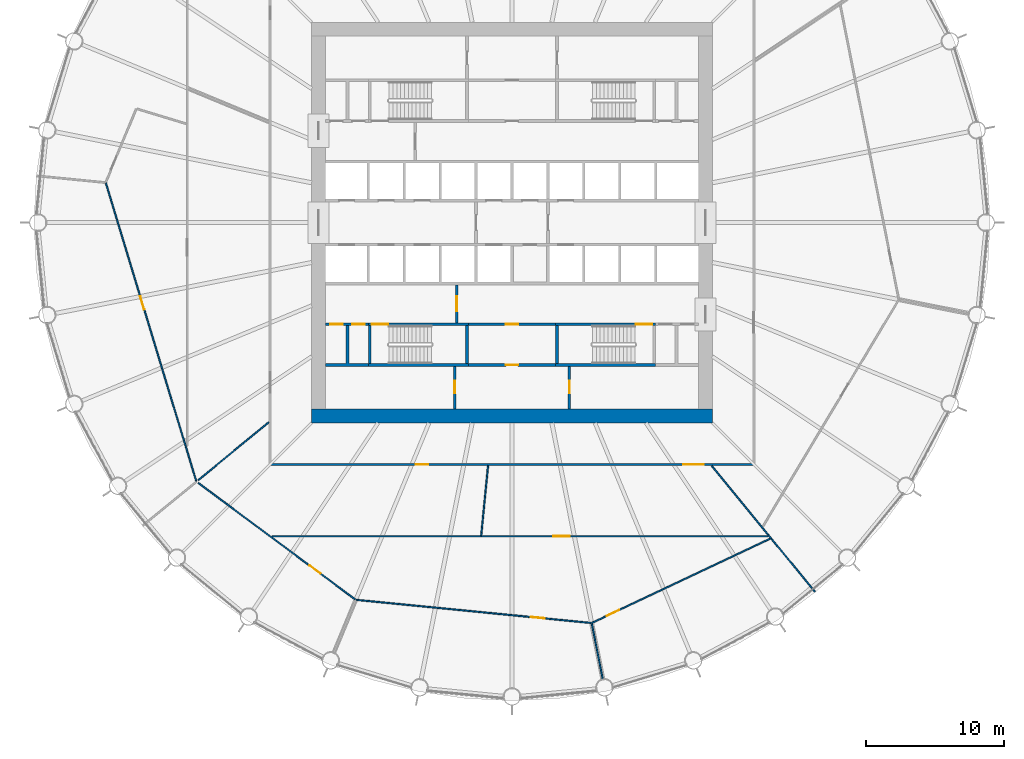
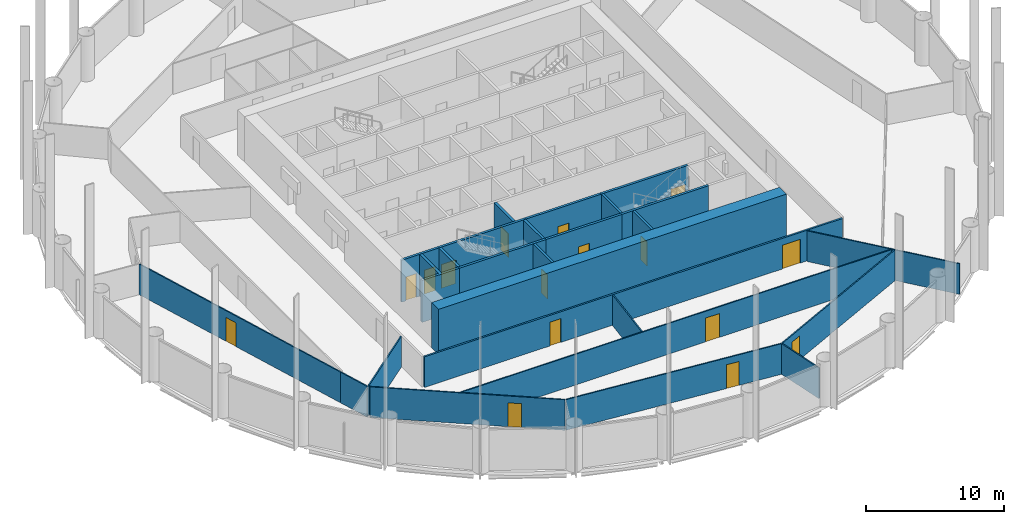
# One storey, part 4 of 10: 28 walls, 16 doors, 16 openings.
"""IFC4 building model written with IfcOpenShell, lengths in metres."""

from ifc_helpers import new_model, si_unit, direction, frame, frame_2d, origin, place, context, subcontext, project, spatial, polyline, rectangle, outline, extrude, material, layer, layer_set, type_object, element, fill, save


model = new_model("IFC4")

# Units and contexts
model_context = context("Model", 3, precision=1e-05, world=origin(), true_north=direction((0.0, 1.0)))
body_context = subcontext(model_context, "Body", "Model", "MODEL_VIEW")
ifc_project = project(units=[si_unit("LENGTHUNIT", "METRE"), si_unit("AREAUNIT", "SQUARE_METRE"), si_unit("VOLUMEUNIT", "CUBIC_METRE"), si_unit("PLANEANGLEUNIT", "RADIAN"), si_unit("MASSUNIT", "GRAM", prefix="KILO")], contexts=[model_context])

# Site, building, storey
site_placement = place(None, origin())
site = spatial("IfcSite", under=ifc_project, at=site_placement, CompositionType="ELEMENT")
building_placement = place(site_placement, origin())
building = spatial("IfcBuilding", under=site, at=building_placement, Name="Corvane Civic Tower", CompositionType="ELEMENT")
storey_placement = place(building_placement, frame((0.0, 0.0, 130.5)))
storey = spatial("IfcBuildingStorey", under=building, at=storey_placement, Name="L30", CompositionType="ELEMENT", Elevation=130.5)

# Wall
ifc_material_1 = material(Name="Concrete C70/85", Category="concrete")
ifc_layer_1 = layer(ifc_material_1, 1.0)
ifc_layer_set_1 = layer_set([ifc_layer_1], Name="Concrete C70/85")
wall_type_1 = type_object("IfcWallType", Name="CORE WALL 1000 C70/85", PredefinedType="SHEAR", material=ifc_layer_set_1)
wall_1_placement = place(storey_placement, frame((-14.5, -14.0, 0.0), z_axis=(0.0, 0.0, 1.0), x_axis=(1.0, 0.0, 0.0)))
element("IfcWall", 1, at=wall_1_placement, inside=storey, type_object=wall_type_1, Name="W-L30-core-S", PredefinedType="SHEAR", context=body_context, shape_type="SweptSolid", body=[
    extrude(rectangle(XDim=29.0, YDim=1.0, at=frame_2d((14.5, 0.0))), origin(), (0.0, 0.0, 1.0), 4.0),
])

# Wall, opening, door
ifc_material_2 = material(Name="Concrete C30/37", Category="concrete")
ifc_layer_2 = layer(ifc_material_2, 0.199951171875)
ifc_layer_set_2 = layer_set([ifc_layer_2], Name="Concrete C30/37")
wall_type_2 = type_object("IfcWallType", Name="CR-WALL-200", PredefinedType="PARTITIONING", material=ifc_layer_set_2)
wall_2_placement = place(storey_placement, frame((-3.14990234375, -10.300048828125, 0.0), z_axis=(0.0, 0.0, 1.0), x_axis=(1.0, 0.0, 0.0)))
wall_2 = element("IfcWall", 2, at=wall_2_placement, inside=storey, type_object=wall_type_2, Name="L30 partition wall", PredefinedType="PARTITIONING", context=body_context, shape_type="SweptSolid", body=[
    extrude(rectangle(XDim=6.2998046875, YDim=0.199951171875, at=frame_2d((3.14990234375, 0.0))), origin(), (0.0, 0.0, 1.0), 3.699951171875),
])
opening_1_placement = place(wall_2_placement, frame((2.699951171875, 0.0, 0.0)))
opening_1 = element("IfcOpeningElement", 3, at=opening_1_placement, cuts=wall_2, Name="Opening L30.C08", PredefinedType="OPENING", context=body_context, shape_type="SweptSolid", body=[
    extrude(rectangle(XDim=0.89990234375, YDim=2.10009765625, at=frame_2d((0.449951171875, 1.050048828125))), frame((0.0, 0.10986328125, 0.0), z_axis=(0.0, -1.0, 0.0), x_axis=(1.0, 0.0, 0.0)), (0.0, 0.0, 1.0), 0.219970703125),
])
ifc_material_3 = material(Name="Steel fire door leaf", Category="steel")
door_type_1 = type_object("IfcDoorType", Name="CR-DOOR-900", OperationType="SINGLE_SWING_LEFT", PredefinedType="DOOR", material=ifc_material_3)
door_1_placement = place(opening_1_placement, origin())
door_1 = element("IfcDoor", 4, at=door_1_placement, inside=storey, type_object=door_type_1, Name="L30 door", OperationType="SINGLE_SWING_LEFT", OverallHeight=2.10009765625, OverallWidth=0.89990234375, PredefinedType="DOOR", context=body_context, shape_type="SweptSolid", body=[
    extrude(rectangle(XDim=0.89990234375, YDim=2.10009765625, at=frame_2d((0.449951171875, 1.050048828125))), frame((0.0, 0.02490234375, 0.0), z_axis=(0.0, -1.0, 0.0), x_axis=(1.0, 0.0, 0.0)), (0.0, 0.0, 1.0), 0.050048828125),
])
fill(opening_1, door_1)

# Wall, openings, doors
wall_3_placement = place(storey_placement, frame((-13.5, -7.35009765625, 0.0), z_axis=(0.0, 0.0, 1.0), x_axis=(1.0, 0.0, 0.0)))
wall_3 = element("IfcWall", 5, at=wall_3_placement, inside=storey, type_object=wall_type_2, Name="L30 core partition wall", PredefinedType="PARTITIONING", context=body_context, shape_type="SweptSolid", body=[
    extrude(rectangle(XDim=3.10009765625, YDim=0.199951171875, at=frame_2d((1.550048828125, 0.0))), origin(), (0.0, 0.0, 1.0), 3.699951171875),
])
opening_2_placement = place(wall_3_placement, frame((0.35009765625, 0.0, 0.0)))
opening_2 = element("IfcOpeningElement", 6, at=opening_2_placement, cuts=wall_3, Name="Opening L30.C12", PredefinedType="OPENING", context=body_context, shape_type="SweptSolid", body=[
    extrude(rectangle(XDim=0.89990234375, YDim=2.10009765625, at=frame_2d((0.449951171875, 1.050048828125))), frame((0.0, 0.10986328125, 0.0), z_axis=(0.0, -1.0, 0.0), x_axis=(1.0, 0.0, 0.0)), (0.0, 0.0, 1.0), 0.219970703125),
])
opening_3_placement = place(wall_3_placement, frame((1.949951171875, 0.0, 0.0)))
opening_3 = element("IfcOpeningElement", 7, at=opening_3_placement, cuts=wall_3, Name="Opening L30.C13", PredefinedType="OPENING", context=body_context, shape_type="SweptSolid", body=[
    extrude(rectangle(XDim=0.89990234375, YDim=2.10009765625, at=frame_2d((0.449951171875, 1.050048828125))), frame((0.0, 0.10986328125, 0.0), z_axis=(0.0, -1.0, 0.0), x_axis=(1.0, 0.0, 0.0)), (0.0, 0.0, 1.0), 0.219970703125),
])
door_2_placement = place(opening_2_placement, origin())
door_2 = element("IfcDoor", 8, at=door_2_placement, inside=storey, type_object=door_type_1, Name="L30 door", OperationType="SINGLE_SWING_LEFT", OverallHeight=2.10009765625, OverallWidth=0.89990234375, PredefinedType="DOOR", context=body_context, shape_type="SweptSolid", body=[
    extrude(rectangle(XDim=0.89990234375, YDim=2.10009765625, at=frame_2d((0.449951171875, 1.050048828125))), frame((0.0, 0.02490234375, 0.0), z_axis=(0.0, -1.0, 0.0), x_axis=(1.0, 0.0, 0.0)), (0.0, 0.0, 1.0), 0.050048828125),
])
fill(opening_2, door_2)
door_3_placement = place(opening_3_placement, origin())
door_3 = element("IfcDoor", 9, at=door_3_placement, inside=storey, type_object=door_type_1, Name="L30 door", OperationType="SINGLE_SWING_LEFT", OverallHeight=2.10009765625, OverallWidth=0.89990234375, PredefinedType="DOOR", context=body_context, shape_type="SweptSolid", body=[
    extrude(rectangle(XDim=0.89990234375, YDim=2.10009765625, at=frame_2d((0.449951171875, 1.050048828125))), frame((0.0, 0.02490234375, 0.0), z_axis=(0.0, -1.0, 0.0), x_axis=(1.0, 0.0, 0.0)), (0.0, 0.0, 1.0), 0.050048828125),
])
fill(opening_3, door_3)

# Wall, opening, door
wall_4_placement = place(storey_placement, frame((-3.14990234375, -7.35009765625, 0.0), z_axis=(0.0, 0.0, 1.0), x_axis=(1.0, 0.0, 0.0)))
wall_4 = element("IfcWall", 10, at=wall_4_placement, inside=storey, type_object=wall_type_2, Name="L30 core partition wall", PredefinedType="PARTITIONING", context=body_context, shape_type="SweptSolid", body=[
    extrude(rectangle(XDim=6.2998046875, YDim=0.199951171875, at=frame_2d((3.14990234375, 0.0))), origin(), (0.0, 0.0, 1.0), 3.699951171875),
])
opening_4_placement = place(wall_4_placement, frame((2.699951171875, 0.0, 0.0)))
opening_4 = element("IfcOpeningElement", 11, at=opening_4_placement, cuts=wall_4, Name="Opening L30.C03", PredefinedType="OPENING", context=body_context, shape_type="SweptSolid", body=[
    extrude(rectangle(XDim=0.89990234375, YDim=2.10009765625, at=frame_2d((0.449951171875, 1.050048828125))), frame((0.0, 0.10986328125, 0.0), z_axis=(0.0, -1.0, 0.0), x_axis=(1.0, 0.0, 0.0)), (0.0, 0.0, 1.0), 0.219970703125),
])
door_4_placement = place(opening_4_placement, origin())
door_4 = element("IfcDoor", 12, at=door_4_placement, inside=storey, type_object=door_type_1, Name="L30 door", OperationType="SINGLE_SWING_LEFT", OverallHeight=2.10009765625, OverallWidth=0.89990234375, PredefinedType="DOOR", context=body_context, shape_type="SweptSolid", body=[
    extrude(rectangle(XDim=0.89990234375, YDim=2.10009765625, at=frame_2d((0.449951171875, 1.050048828125))), frame((0.0, 0.02490234375, 0.0), z_axis=(0.0, -1.0, 0.0), x_axis=(1.0, 0.0, 0.0)), (0.0, 0.0, 1.0), 0.050048828125),
])
fill(opening_4, door_4)

wall_5_placement = place(storey_placement, frame((-4.14990234375, -13.5, 0.0), z_axis=(0.0, 0.0, 1.0), x_axis=(0.0, 1.0, 0.0)))
wall_5 = element("IfcWall", 13, at=wall_5_placement, inside=storey, type_object=wall_type_2, Name="L30 partition wall", PredefinedType="PARTITIONING", context=body_context, shape_type="SweptSolid", body=[
    extrude(rectangle(XDim=3.10009765625, YDim=0.199951171875, at=frame_2d((1.550048828125, 0.0))), origin(), (0.0, 0.0, 1.0), 3.699951171875),
])
opening_5_placement = place(wall_5_placement, frame((1.14990234375, 0.0, 0.0)))
opening_5 = element("IfcOpeningElement", 14, at=opening_5_placement, cuts=wall_5, Name="Opening L30.C07", PredefinedType="OPENING", context=body_context, shape_type="SweptSolid", body=[
    extrude(rectangle(XDim=0.89990234375, YDim=2.10009765625, at=frame_2d((0.449951171875, 1.050048828125))), frame((0.0, 0.10986328125, 0.0), z_axis=(0.0, -1.0, 0.0), x_axis=(1.0, 0.0, 0.0)), (0.0, 0.0, 1.0), 0.219970703125),
])
door_5_placement = place(opening_5_placement, origin())
door_5 = element("IfcDoor", 15, at=door_5_placement, inside=storey, type_object=door_type_1, Name="L30 door", OperationType="SINGLE_SWING_LEFT", OverallHeight=2.10009765625, OverallWidth=0.89990234375, PredefinedType="DOOR", context=body_context, shape_type="SweptSolid", body=[
    extrude(rectangle(XDim=0.89990234375, YDim=2.10009765625, at=frame_2d((0.449951171875, 1.050048828125))), frame((0.0, 0.02490234375, 0.0), z_axis=(0.0, -1.0, 0.0), x_axis=(1.0, 0.0, 0.0)), (0.0, 0.0, 1.0), 0.050048828125),
])
fill(opening_5, door_5)

wall_6_placement = place(storey_placement, frame((-4.0, -7.25, 0.0), z_axis=(0.0, 0.0, 1.0), x_axis=(0.0, 1.0, 0.0)))
wall_6 = element("IfcWall", 16, at=wall_6_placement, inside=storey, type_object=wall_type_2, Name="L30 core partition wall", PredefinedType="PARTITIONING", context=body_context, shape_type="SweptSolid", body=[
    extrude(rectangle(XDim=2.75, YDim=0.199951171875, at=frame_2d((1.375, 0.0))), origin(), (0.0, 0.0, 1.0), 3.699951171875),
])
opening_6_placement = place(wall_6_placement, frame((0.824951171875, 0.0, 0.0)))
opening_6 = element("IfcOpeningElement", 17, at=opening_6_placement, cuts=wall_6, Name="Opening L30.C25", PredefinedType="OPENING", context=body_context, shape_type="SweptSolid", body=[
    extrude(rectangle(XDim=1.10009765625, YDim=2.10009765625, at=frame_2d((0.550048828125, 1.050048828125))), frame((0.0, 0.10986328125, 0.0), z_axis=(0.0, -1.0, 0.0), x_axis=(1.0, 0.0, 0.0)), (0.0, 0.0, 1.0), 0.219970703125),
])
ifc_material_4 = material(Name="Steel fire door leaf", Category="steel")
door_type_2 = type_object("IfcDoorType", Name="CR-DOOR-FFL-1100", OperationType="SINGLE_SWING_LEFT", PredefinedType="DOOR", material=ifc_material_4)
door_6_placement = place(opening_6_placement, origin())
door_6 = element("IfcDoor", 18, at=door_6_placement, inside=storey, type_object=door_type_2, Name="L30 lobby door", OperationType="SINGLE_SWING_LEFT", OverallHeight=2.10009765625, OverallWidth=1.10009765625, PredefinedType="DOOR", context=body_context, shape_type="SweptSolid", body=[
    extrude(rectangle(XDim=1.10009765625, YDim=2.10009765625, at=frame_2d((0.550048828125, 1.050048828125))), frame((0.0, 0.02490234375, 0.0), z_axis=(0.0, -1.0, 0.0), x_axis=(1.0, 0.0, 0.0)), (0.0, 0.0, 1.0), 0.050048828125),
])
fill(opening_6, door_6)

wall_7_placement = place(storey_placement, frame((4.14990234375, -13.5, 0.0), z_axis=(0.0, 0.0, 1.0), x_axis=(0.0, 1.0, 0.0)))
wall_7 = element("IfcWall", 19, at=wall_7_placement, inside=storey, type_object=wall_type_2, Name="L30 partition wall", PredefinedType="PARTITIONING", context=body_context, shape_type="SweptSolid", body=[
    extrude(rectangle(XDim=3.10009765625, YDim=0.199951171875, at=frame_2d((1.550048828125, 0.0))), origin(), (0.0, 0.0, 1.0), 3.699951171875),
])
opening_7_placement = place(wall_7_placement, frame((1.14990234375, 0.0, 0.0)))
opening_7 = element("IfcOpeningElement", 20, at=opening_7_placement, cuts=wall_7, Name="Opening L30.C09", PredefinedType="OPENING", context=body_context, shape_type="SweptSolid", body=[
    extrude(rectangle(XDim=0.89990234375, YDim=2.10009765625, at=frame_2d((0.449951171875, 1.050048828125))), frame((0.0, 0.10986328125, 0.0), z_axis=(0.0, -1.0, 0.0), x_axis=(1.0, 0.0, 0.0)), (0.0, 0.0, 1.0), 0.219970703125),
])
door_7_placement = place(opening_7_placement, origin())
door_7 = element("IfcDoor", 21, at=door_7_placement, inside=storey, type_object=door_type_1, Name="L30 door", OperationType="SINGLE_SWING_LEFT", OverallHeight=2.10009765625, OverallWidth=0.89990234375, PredefinedType="DOOR", context=body_context, shape_type="SweptSolid", body=[
    extrude(rectangle(XDim=0.89990234375, YDim=2.10009765625, at=frame_2d((0.449951171875, 1.050048828125))), frame((0.0, 0.02490234375, 0.0), z_axis=(0.0, -1.0, 0.0), x_axis=(1.0, 0.0, 0.0)), (0.0, 0.0, 1.0), 0.050048828125),
])
fill(opening_7, door_7)

# Walls
wall_8_placement = place(storey_placement, origin())
element("IfcWall", 22, at=wall_8_placement, inside=storey, type_object=wall_type_2, Name="L30 core partition wall", PredefinedType="PARTITIONING", context=body_context, shape_type="SweptSolid", body=[
    extrude(outline(polyline([(-12.0, -7.449951171875), (-11.800048828125, -7.449951171875), (-11.800048828125, -10.199951171875), (-10.39990234375, -10.199951171875), (-10.39990234375, -10.39990234375), (-13.5, -10.39990234375), (-13.5, -10.199951171875), (-12.0, -10.199951171875), (-12.0, -7.449951171875)])), origin(), (0.0, 0.0, 1.0), 3.699951171875),
])
ifc_material_5 = material(Name="Plasterboard")
ifc_layer_3 = layer(ifc_material_5, 0.10009765625)
ifc_layer_set_3 = layer_set([ifc_layer_3], Name="Plasterboard")
wall_type_3 = type_object("IfcWallType", Name="Partition 100 plasterboard on studs", PredefinedType="PARTITIONING", material=ifc_layer_set_3)
wall_9_placement = place(storey_placement, frame((5.771484375, -29.014892578125, 0.0), z_axis=(0.0, 0.0, 1.0), x_axis=(0.195057749927, -0.980791758832, 0.0)))
element("IfcWall", 23, at=wall_9_placement, inside=storey, type_object=wall_type_3, Name="Partition L30.001", PredefinedType="PARTITIONING", context=body_context, shape_type="SweptSolid", body=[
    extrude(rectangle(XDim=4.08154296875, YDim=0.10009765625, at=frame_2d((2.040771484375, 0.0))), origin(), (0.0, 0.0, 1.0), 2.699951171875),
])

# Wall, opening, door
wall_10_placement = place(storey_placement, frame((-11.269287109375, -27.299072265625, 0.0), z_axis=(0.0, 0.0, 1.0), x_axis=(0.99518553198, -0.098008963561, 0.0)))
wall_10 = element("IfcWall", 24, at=wall_10_placement, inside=storey, type_object=wall_type_3, Name="Partition L30.003", PredefinedType="PARTITIONING", context=body_context, shape_type="SweptSolid", body=[
    extrude(rectangle(XDim=17.078369140625, YDim=0.10009765625, at=frame_2d((8.5390625, 0.0))), origin(), (0.0, 0.0, 1.0), 2.699951171875),
])
opening_8_placement = place(wall_10_placement, frame((12.704833984375, 0.0, 0.0)))
opening_8 = element("IfcOpeningElement", 25, at=opening_8_placement, cuts=wall_10, Name="Opening L30.007", PredefinedType="OPENING", context=body_context, shape_type="SweptSolid", body=[
    extrude(rectangle(XDim=1.0, YDim=2.10009765625, at=frame_2d((0.5, 1.050048828125))), frame((0.0, 0.06005859375, 0.0), z_axis=(0.0, -1.0, 0.0), x_axis=(1.0, 0.0, 0.0)), (0.0, 0.0, 1.0), 0.1201171875),
])
ifc_material_6 = material(Name="Timber", Category="wood")
door_type_3 = type_object("IfcDoorType", Name="Single door 1000", OperationType="NOTDEFINED", PredefinedType="DOOR", material=ifc_material_6)
door_8_placement = place(opening_8_placement, frame((1.0, 0.0, 0.0), z_axis=(0.0, 0.0, 1.0), x_axis=(-1.0, 0.0, 0.0)))
door_8 = element("IfcDoor", 26, at=door_8_placement, inside=storey, type_object=door_type_3, Name="Door L30.007", OperationType="SINGLE_SWING_LEFT", OverallHeight=2.10009765625, OverallWidth=1.0, PredefinedType="DOOR", context=body_context, shape_type="SweptSolid", body=[
    extrude(rectangle(XDim=1.0, YDim=2.10009765625, at=frame_2d((0.5, 1.050048828125))), frame((0.0, 0.02490234375, 0.0), z_axis=(0.0, -1.0, 0.0), x_axis=(1.0, 0.0, 0.0)), (0.0, 0.0, 1.0), 0.050048828125),
])
fill(opening_8, door_8)

wall_11_placement = place(storey_placement, frame((5.799072265625, -28.959716796875, 0.0), z_axis=(0.0, 0.0, 1.0), x_axis=(0.903994830747, 0.427543384912, 0.0)))
wall_11 = element("IfcWall", 27, at=wall_11_placement, inside=storey, type_object=wall_type_3, Name="Partition L30.004", PredefinedType="PARTITIONING", context=body_context, shape_type="SweptSolid", body=[
    extrude(rectangle(XDim=14.2666015625, YDim=0.10009765625, at=frame_2d((7.13330078125, 0.0))), origin(), (0.0, 0.0, 1.0), 2.699951171875),
])
opening_9_placement = place(wall_11_placement, frame((1.166748046875, 0.0, 0.0)))
opening_9 = element("IfcOpeningElement", 28, at=opening_9_placement, cuts=wall_11, Name="Opening L30.006", PredefinedType="OPENING", context=body_context, shape_type="SweptSolid", body=[
    extrude(rectangle(XDim=1.0, YDim=2.10009765625, at=frame_2d((0.5, 1.050048828125))), frame((0.0, 0.06005859375, 0.0), z_axis=(0.0, -1.0, 0.0), x_axis=(1.0, 0.0, 0.0)), (0.0, 0.0, 1.0), 0.1201171875),
])
door_9_placement = place(opening_9_placement, frame((1.0, 0.0, 0.0), z_axis=(0.0, 0.0, 1.0), x_axis=(-1.0, 0.0, 0.0)))
door_9 = element("IfcDoor", 29, at=door_9_placement, inside=storey, type_object=door_type_3, Name="Door L30.006", OperationType="SINGLE_SWING_LEFT", OverallHeight=2.10009765625, OverallWidth=1.0, PredefinedType="DOOR", context=body_context, shape_type="SweptSolid", body=[
    extrude(rectangle(XDim=1.0, YDim=2.10009765625, at=frame_2d((0.5, 1.050048828125))), frame((0.0, 0.02490234375, 0.0), z_axis=(0.0, -1.0, 0.0), x_axis=(1.0, 0.0, 0.0)), (0.0, 0.0, 1.0), 0.050048828125),
])
fill(opening_9, door_9)

wall_12_placement = place(storey_placement, frame((-22.7099609375, -18.837646484375, 0.0), z_axis=(0.0, 0.0, 1.0), x_axis=(0.803203948803, -0.595704135143, 0.0)))
wall_12 = element("IfcWall", 30, at=wall_12_placement, inside=storey, type_object=wall_type_3, Name="Partition L30.005", PredefinedType="PARTITIONING", context=body_context, shape_type="SweptSolid", body=[
    extrude(rectangle(XDim=14.158935546875, YDim=0.10009765625, at=frame_2d((7.07958984375, 0.0))), origin(), (0.0, 0.0, 1.0), 2.699951171875),
])
opening_10_placement = place(wall_12_placement, frame((10.01806640625, 0.0, 0.0)))
opening_10 = element("IfcOpeningElement", 31, at=opening_10_placement, cuts=wall_12, Name="Opening L30.008", PredefinedType="OPENING", context=body_context, shape_type="SweptSolid", body=[
    extrude(rectangle(XDim=1.0, YDim=2.10009765625, at=frame_2d((0.5, 1.050048828125))), frame((0.0, 0.06005859375, 0.0), z_axis=(0.0, -1.0, 0.0), x_axis=(1.0, 0.0, 0.0)), (0.0, 0.0, 1.0), 0.1201171875),
])
door_10_placement = place(opening_10_placement, frame((1.0, 0.0, 0.0), z_axis=(0.0, 0.0, 1.0), x_axis=(-1.0, 0.0, 0.0)))
door_10 = element("IfcDoor", 32, at=door_10_placement, inside=storey, type_object=door_type_3, Name="Door L30.008", OperationType="SINGLE_SWING_RIGHT", OverallHeight=2.10009765625, OverallWidth=1.0, PredefinedType="DOOR", context=body_context, shape_type="SweptSolid", body=[
    extrude(rectangle(XDim=1.0, YDim=2.10009765625, at=frame_2d((0.5, 1.050048828125))), frame((0.0, 0.02490234375, 0.0), z_axis=(0.0, -1.0, 0.0), x_axis=(1.0, 0.0, 0.0)), (0.0, 0.0, 1.0), 0.050048828125),
])
fill(opening_10, door_10)

# Wall
wall_13_placement = place(storey_placement, frame((18.767578125, -22.8681640625, 0.0), z_axis=(0.0, 0.0, 1.0), x_axis=(0.63436933627, -0.77303010627, 0.0)))
element("IfcWall", 33, at=wall_13_placement, inside=storey, type_object=wall_type_3, Name="Partition L30.006", PredefinedType="PARTITIONING", context=body_context, shape_type="SweptSolid", body=[
    extrude(rectangle(XDim=4.967041015625, YDim=0.10009765625, at=frame_2d((2.4833984375, 0.0))), origin(), (0.0, 0.0, 1.0), 2.699951171875),
])

# Wall, opening, door
wall_14_placement = place(storey_placement, frame((-17.350830078125, -22.699951171875, 0.0), z_axis=(0.0, 0.0, 1.0), x_axis=(1.0, 0.0, 0.0)))
wall_14 = element("IfcWall", 34, at=wall_14_placement, inside=storey, type_object=wall_type_3, Name="Partition L30.007", PredefinedType="PARTITIONING", context=body_context, shape_type="SweptSolid", body=[
    extrude(rectangle(XDim=35.87451171875, YDim=0.10009765625, at=frame_2d((17.937255859375, 0.0))), origin(), (0.0, 0.0, 1.0), 2.699951171875),
])
opening_11_placement = place(wall_14_placement, frame((20.333984375, 0.0, 0.0)))
opening_11 = element("IfcOpeningElement", 35, at=opening_11_placement, cuts=wall_14, Name="Opening L30.009", PredefinedType="OPENING", context=body_context, shape_type="SweptSolid", body=[
    extrude(rectangle(XDim=1.199951171875, YDim=2.10009765625, at=frame_2d((0.60009765625, 1.050048828125))), frame((0.0, 0.06005859375, 0.0), z_axis=(0.0, -1.0, 0.0), x_axis=(1.0, 0.0, 0.0)), (0.0, 0.0, 1.0), 0.1201171875),
])
ifc_material_7 = material(Name="Timber", Category="wood")
door_type_4 = type_object("IfcDoorType", Name="Double door 1200", OperationType="NOTDEFINED", PredefinedType="DOOR", material=ifc_material_7)
door_11_placement = place(opening_11_placement, frame((1.199951171875, 0.0, 0.0), z_axis=(0.0, 0.0, 1.0), x_axis=(-1.0, 0.0, 0.0)))
door_11 = element("IfcDoor", 36, at=door_11_placement, inside=storey, type_object=door_type_4, Name="Door L30.009", OperationType="DOUBLE_DOOR_SINGLE_SWING", OverallHeight=2.10009765625, OverallWidth=1.199951171875, PredefinedType="DOOR", context=body_context, shape_type="SweptSolid", body=[
    extrude(rectangle(XDim=1.199951171875, YDim=2.10009765625, at=frame_2d((0.60009765625, 1.050048828125))), frame((0.0, 0.02490234375, 0.0), z_axis=(0.0, -1.0, 0.0), x_axis=(1.0, 0.0, 0.0)), (0.0, 0.0, 1.0), 0.050048828125),
])
fill(opening_11, door_11)

# Walls
wall_15_placement = place(storey_placement, frame((-2.230224609375, -22.64501953125, 0.0), z_axis=(0.0, 0.0, 1.0), x_axis=(0.097998083138, 0.995186603458, 0.0)))
element("IfcWall", 37, at=wall_15_placement, inside=storey, type_object=wall_type_3, Name="Partition L30.008", PredefinedType="PARTITIONING", context=body_context, shape_type="SweptSolid", body=[
    extrude(rectangle(XDim=5.089599609375, YDim=0.10009765625, at=frame_2d((2.544921875, 0.0))), origin(), (0.0, 0.0, 1.0), 2.699951171875),
])
wall_16_placement = place(storey_placement, frame((14.449462890625, -17.606689453125, 0.0), z_axis=(0.0, 0.0, 1.0), x_axis=(0.634373162363, -0.77302696646, 0.0)))
element("IfcWall", 38, at=wall_16_placement, inside=storey, type_object=wall_type_3, Name="Partition L30.009", PredefinedType="PARTITIONING", context=body_context, shape_type="SweptSolid", body=[
    extrude(rectangle(XDim=6.483154296875, YDim=0.10009765625, at=frame_2d((3.24169921875, 0.0))), origin(), (0.0, 0.0, 1.0), 2.699951171875),
])
wall_17_placement = place(storey_placement, frame((-23.6162109375, -16.177490234375, 0.0), z_axis=(0.0, 0.0, 1.0), x_axis=(0.290240321549, -0.956953789766, 0.0)))
element("IfcWall", 39, at=wall_17_placement, inside=storey, type_object=wall_type_3, Name="Partition L30.012", PredefinedType="PARTITIONING", context=body_context, shape_type="SweptSolid", body=[
    extrude(rectangle(XDim=2.647216796875, YDim=0.10009765625, at=frame_2d((1.32373046875, 0.0))), origin(), (0.0, 0.0, 1.0), 2.699951171875),
])
wall_18_placement = place(storey_placement, frame((-22.7099609375, -18.6376953125, 0.0), z_axis=(0.0, 0.0, 1.0), x_axis=(0.773004083678, 0.634401045567, 0.0)))
element("IfcWall", 40, at=wall_18_placement, inside=storey, type_object=wall_type_3, Name="Partition L30.013", PredefinedType="PARTITIONING", context=body_context, shape_type="SweptSolid", body=[
    extrude(rectangle(XDim=6.601806640625, YDim=0.10009765625, at=frame_2d((3.30078125, 0.0))), origin(), (0.0, 0.0, 1.0), 2.699951171875),
])

# Wall, opening, door
wall_19_placement = place(storey_placement, frame((-29.39208984375, 2.864013671875, 0.0), z_axis=(0.0, 0.0, 1.0), x_axis=(0.290270955878, -0.956944497959, 0.0)))
wall_19 = element("IfcWall", 41, at=wall_19_placement, inside=storey, type_object=wall_type_3, Name="Partition L30.017", PredefinedType="PARTITIONING", context=body_context, shape_type="SweptSolid", body=[
    extrude(rectangle(XDim=19.898193359375, YDim=0.10009765625, at=frame_2d((9.94921875, 0.0))), origin(), (0.0, 0.0, 1.0), 2.699951171875),
])
opening_12_placement = place(wall_19_placement, frame((8.569580078125, 0.0, 0.0)))
opening_12 = element("IfcOpeningElement", 42, at=opening_12_placement, cuts=wall_19, Name="Opening L30.012", PredefinedType="OPENING", context=body_context, shape_type="SweptSolid", body=[
    extrude(rectangle(XDim=1.0, YDim=2.10009765625, at=frame_2d((0.5, 1.050048828125))), frame((0.0, 0.06005859375, 0.0), z_axis=(0.0, -1.0, 0.0), x_axis=(1.0, 0.0, 0.0)), (0.0, 0.0, 1.0), 0.1201171875),
])
door_12_placement = place(opening_12_placement, frame((1.0, 0.0, 0.0), z_axis=(0.0, 0.0, 1.0), x_axis=(-1.0, 0.0, 0.0)))
door_12 = element("IfcDoor", 43, at=door_12_placement, inside=storey, type_object=door_type_3, Name="Door L30.012", OperationType="SINGLE_SWING_LEFT", OverallHeight=2.10009765625, OverallWidth=1.0, PredefinedType="DOOR", context=body_context, shape_type="SweptSolid", body=[
    extrude(rectangle(XDim=1.0, YDim=2.10009765625, at=frame_2d((0.5, 1.050048828125))), frame((0.0, 0.02490234375, 0.0), z_axis=(0.0, -1.0, 0.0), x_axis=(1.0, 0.0, 0.0)), (0.0, 0.0, 1.0), 0.050048828125),
])
fill(opening_12, door_12)

# Wall
wall_20_placement = place(storey_placement, frame((18.562255859375, -22.618408203125, 0.0), z_axis=(0.0, 0.0, 1.0), x_axis=(0.635045327254, -0.772474874888, 0.0)))
element("IfcWall", 44, at=wall_20_placement, inside=storey, type_object=wall_type_3, Name="Partition L30.038", PredefinedType="PARTITIONING", context=body_context, shape_type="SweptSolid", body=[
    extrude(rectangle(XDim=0.3232421875, YDim=0.10009765625, at=frame_2d((0.16162109375, 0.0))), origin(), (0.0, 0.0, 1.0), 2.699951171875),
])

# Wall, opening, door
ifc_material_8 = material(Name="Concrete C50/60", Category="concrete")
ifc_layer_4 = layer(ifc_material_8, 0.199951171875)
ifc_layer_set_4 = layer_set([ifc_layer_4], Name="Concrete C50/60")
wall_type_4 = type_object("IfcWallType", Name="ST-WALL-200", PredefinedType="SHEAR", material=ifc_layer_set_4)
wall_21_placement = place(storey_placement, frame((-10.39990234375, -7.35009765625, 0.0), z_axis=(0.0, 0.0, 1.0), x_axis=(1.0, 0.0, 0.0)))
wall_21 = element("IfcWall", 45, at=wall_21_placement, inside=storey, type_object=wall_type_4, Name="L30 stair enclosure wall", PredefinedType="SHEAR", context=body_context, shape_type="SweptSolid", body=[
    extrude(rectangle(XDim=7.25, YDim=0.199951171875, at=frame_2d((3.625, 0.0))), origin(), (0.0, 0.0, 1.0), 3.699951171875),
])
opening_13_placement = place(wall_21_placement, frame((0.25, 0.0, 0.0)))
opening_13 = element("IfcOpeningElement", 46, at=opening_13_placement, cuts=wall_21, Name="Opening L30.C21", PredefinedType="OPENING", context=body_context, shape_type="SweptSolid", body=[
    extrude(rectangle(XDim=1.199951171875, YDim=2.10009765625, at=frame_2d((0.60009765625, 1.050048828125))), frame((0.0, 0.10986328125, 0.0), z_axis=(0.0, -1.0, 0.0), x_axis=(1.0, 0.0, 0.0)), (0.0, 0.0, 1.0), 0.219970703125),
])
ifc_material_9 = material(Name="Steel fire door leaf", Category="steel")
door_type_5 = type_object("IfcDoorType", Name="ST-DOOR-1200", OperationType="SINGLE_SWING_RIGHT", PredefinedType="DOOR", material=ifc_material_9)
door_13_placement = place(opening_13_placement, origin())
door_13 = element("IfcDoor", 47, at=door_13_placement, inside=storey, type_object=door_type_5, Name="L30 stair door", OperationType="SINGLE_SWING_RIGHT", OverallHeight=2.10009765625, OverallWidth=1.199951171875, PredefinedType="DOOR", context=body_context, shape_type="SweptSolid", body=[
    extrude(rectangle(XDim=1.199951171875, YDim=2.10009765625, at=frame_2d((0.60009765625, 1.050048828125))), frame((0.0, 0.02490234375, 0.0), z_axis=(0.0, -1.0, 0.0), x_axis=(1.0, 0.0, 0.0)), (0.0, 0.0, 1.0), 0.050048828125),
])
fill(opening_13, door_13)

wall_22_placement = place(storey_placement, frame((3.14990234375, -7.35009765625, 0.0), z_axis=(0.0, 0.0, 1.0), x_axis=(1.0, 0.0, 0.0)))
wall_22 = element("IfcWall", 48, at=wall_22_placement, inside=storey, type_object=wall_type_4, Name="L30 stair enclosure wall", PredefinedType="SHEAR", context=body_context, shape_type="SweptSolid", body=[
    extrude(rectangle(XDim=7.25, YDim=0.199951171875, at=frame_2d((3.625, 0.0))), origin(), (0.0, 0.0, 1.0), 3.699951171875),
])
opening_14_placement = place(wall_22_placement, frame((5.800048828125, 0.0, 0.0)))
opening_14 = element("IfcOpeningElement", 49, at=opening_14_placement, cuts=wall_22, Name="Opening L30.C20", PredefinedType="OPENING", context=body_context, shape_type="SweptSolid", body=[
    extrude(rectangle(XDim=1.199951171875, YDim=2.10009765625, at=frame_2d((0.60009765625, 1.050048828125))), frame((0.0, 0.10986328125, 0.0), z_axis=(0.0, -1.0, 0.0), x_axis=(1.0, 0.0, 0.0)), (0.0, 0.0, 1.0), 0.219970703125),
])
door_14_placement = place(opening_14_placement, origin())
door_14 = element("IfcDoor", 50, at=door_14_placement, inside=storey, type_object=door_type_5, Name="L30 stair door", OperationType="SINGLE_SWING_RIGHT", OverallHeight=2.10009765625, OverallWidth=1.199951171875, PredefinedType="DOOR", context=body_context, shape_type="SweptSolid", body=[
    extrude(rectangle(XDim=1.199951171875, YDim=2.10009765625, at=frame_2d((0.60009765625, 1.050048828125))), frame((0.0, 0.02490234375, 0.0), z_axis=(0.0, -1.0, 0.0), x_axis=(1.0, 0.0, 0.0)), (0.0, 0.0, 1.0), 0.050048828125),
])
fill(opening_14, door_14)

# Walls
wall_23_placement = place(storey_placement, origin())
element("IfcWall", 51, at=wall_23_placement, inside=storey, type_object=wall_type_4, Name="L30 stair enclosure wall", PredefinedType="SHEAR", context=body_context, shape_type="SweptSolid", body=[
    extrude(outline(polyline([(-3.14990234375, -10.199951171875), (-3.14990234375, -10.39990234375), (-10.39990234375, -10.39990234375), (-10.39990234375, -10.199951171875), (-3.14990234375, -10.199951171875)])), origin(), (0.0, 0.0, 1.0), 3.699951171875),
])
wall_24_placement = place(storey_placement, origin())
element("IfcWall", 52, at=wall_24_placement, inside=storey, type_object=wall_type_4, Name="L30 stair enclosure wall", PredefinedType="SHEAR", context=body_context, shape_type="SweptSolid", body=[
    extrude(outline(polyline([(10.39990234375, -10.39990234375), (3.14990234375, -10.39990234375), (3.14990234375, -10.199951171875), (10.39990234375, -10.199951171875), (10.39990234375, -10.39990234375)])), origin(), (0.0, 0.0, 1.0), 3.699951171875),
])
wall_25_placement = place(storey_placement, origin())
element("IfcWall", 53, at=wall_25_placement, inside=storey, type_object=wall_type_4, Name="L30 stair enclosure wall", PredefinedType="SHEAR", context=body_context, shape_type="SweptSolid", body=[
    extrude(outline(polyline([(-3.14990234375, -7.449951171875), (-3.14990234375, -10.199951171875), (-3.35009765625, -10.199951171875), (-3.35009765625, -7.449951171875), (-3.14990234375, -7.449951171875)])), origin(), (0.0, 0.0, 1.0), 3.699951171875),
])
wall_26_placement = place(storey_placement, origin())
element("IfcWall", 54, at=wall_26_placement, inside=storey, type_object=wall_type_4, Name="L30 stair enclosure wall", PredefinedType="SHEAR", context=body_context, shape_type="SweptSolid", body=[
    extrude(outline(polyline([(3.35009765625, -7.449951171875), (3.35009765625, -10.199951171875), (3.14990234375, -10.199951171875), (3.14990234375, -7.449951171875), (3.35009765625, -7.449951171875)])), origin(), (0.0, 0.0, 1.0), 3.699951171875),
])
wall_27_placement = place(storey_placement, origin())
element("IfcWall", 55, at=wall_27_placement, inside=storey, type_object=wall_type_4, Name="L30 stair enclosure wall", PredefinedType="SHEAR", context=body_context, shape_type="SweptSolid", body=[
    extrude(outline(polyline([(-10.199951171875, -7.449951171875), (-10.199951171875, -10.199951171875), (-10.39990234375, -10.199951171875), (-10.39990234375, -7.449951171875), (-10.199951171875, -7.449951171875)])), origin(), (0.0, 0.0, 1.0), 3.699951171875),
])

# Wall, openings, doors
ifc_material_10 = material(Name="Plasterboard")
ifc_layer_5 = layer(ifc_material_10, 0.14990234375)
ifc_layer_set_5 = layer_set([ifc_layer_5], Name="Plasterboard")
wall_type_5 = type_object("IfcWallType", Name="Tenancy wall 150 EI 60", PredefinedType="PARTITIONING", material=ifc_layer_set_5)
wall_28_placement = place(storey_placement, frame((-17.425048828125, -17.5, 0.0), z_axis=(0.0, 0.0, 1.0), x_axis=(1.0, 0.0, 0.0)))
wall_28 = element("IfcWall", 56, at=wall_28_placement, inside=storey, type_object=wall_type_5, Name="Partition L30.014", PredefinedType="PARTITIONING", context=body_context, shape_type="SweptSolid", body=[
    extrude(rectangle(XDim=34.85009765625, YDim=0.14990234375, at=frame_2d((17.425048828125, 0.0))), origin(), (0.0, 0.0, 1.0), 2.699951171875),
])
opening_15_placement = place(wall_28_placement, frame((29.817626953125, 0.0, 0.0)))
opening_15 = element("IfcOpeningElement", 57, at=opening_15_placement, cuts=wall_28, Name="Opening L30.010", PredefinedType="OPENING", context=body_context, shape_type="SweptSolid", body=[
    extrude(rectangle(XDim=1.5, YDim=2.10009765625, at=frame_2d((0.75, 1.050048828125))), frame((0.0, 0.0849609375, 0.0), z_axis=(0.0, -1.0, 0.0), x_axis=(1.0, 0.0, 0.0)), (0.0, 0.0, 1.0), 0.169921875),
])
opening_16_placement = place(wall_28_placement, frame((10.4541015625, 0.0, 0.0)))
opening_16 = element("IfcOpeningElement", 58, at=opening_16_placement, cuts=wall_28, Name="Opening L30.011", PredefinedType="OPENING", context=body_context, shape_type="SweptSolid", body=[
    extrude(rectangle(XDim=0.89990234375, YDim=2.10009765625, at=frame_2d((0.449951171875, 1.050048828125))), frame((0.0, 0.0849609375, 0.0), z_axis=(0.0, -1.0, 0.0), x_axis=(1.0, 0.0, 0.0)), (0.0, 0.0, 1.0), 0.169921875),
])
ifc_material_11 = material(Name="Steel and timber", Category="steel")
door_type_6 = type_object("IfcDoorType", Name="Fire door FD30S 900", OperationType="NOTDEFINED", PredefinedType="DOOR", material=ifc_material_11)
door_15_placement = place(opening_16_placement, frame((0.89990234375, 0.0, 0.0), z_axis=(0.0, 0.0, 1.0), x_axis=(-1.0, 0.0, 0.0)))
door_15 = element("IfcDoor", 59, at=door_15_placement, inside=storey, type_object=door_type_6, Name="Door L30.011", OperationType="SINGLE_SWING_RIGHT", OverallHeight=2.10009765625, OverallWidth=0.89990234375, PredefinedType="DOOR", context=body_context, shape_type="SweptSolid", body=[
    extrude(rectangle(XDim=0.89990234375, YDim=2.10009765625, at=frame_2d((0.449951171875, 1.050048828125))), frame((0.0, 0.02490234375, 0.0), z_axis=(0.0, -1.0, 0.0), x_axis=(1.0, 0.0, 0.0)), (0.0, 0.0, 1.0), 0.050048828125),
])
fill(opening_16, door_15)
ifc_material_12 = material(Name="Steel and timber", Category="steel")
door_type_7 = type_object("IfcDoorType", Name="Fire door FD60 double 1500", OperationType="NOTDEFINED", PredefinedType="DOOR", material=ifc_material_12)
door_16_placement = place(opening_15_placement, frame((1.5, 0.0, 0.0), z_axis=(0.0, 0.0, 1.0), x_axis=(-1.0, 0.0, 0.0)))
door_16 = element("IfcDoor", 60, at=door_16_placement, inside=storey, type_object=door_type_7, Name="Door L30.010", OperationType="DOUBLE_DOOR_SINGLE_SWING", OverallHeight=2.10009765625, OverallWidth=1.5, PredefinedType="DOOR", context=body_context, shape_type="SweptSolid", body=[
    extrude(rectangle(XDim=1.5, YDim=2.10009765625, at=frame_2d((0.75, 1.050048828125))), frame((0.0, 0.02490234375, 0.0), z_axis=(0.0, -1.0, 0.0), x_axis=(1.0, 0.0, 0.0)), (0.0, 0.0, 1.0), 0.050048828125),
])
fill(opening_15, door_16)

save(model, "model.ifc")
